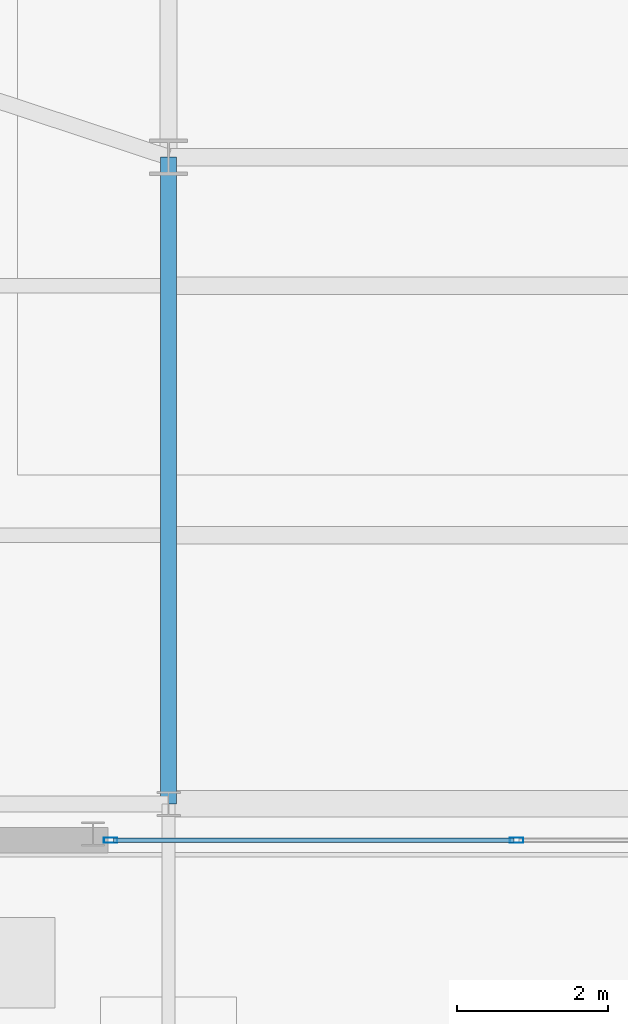
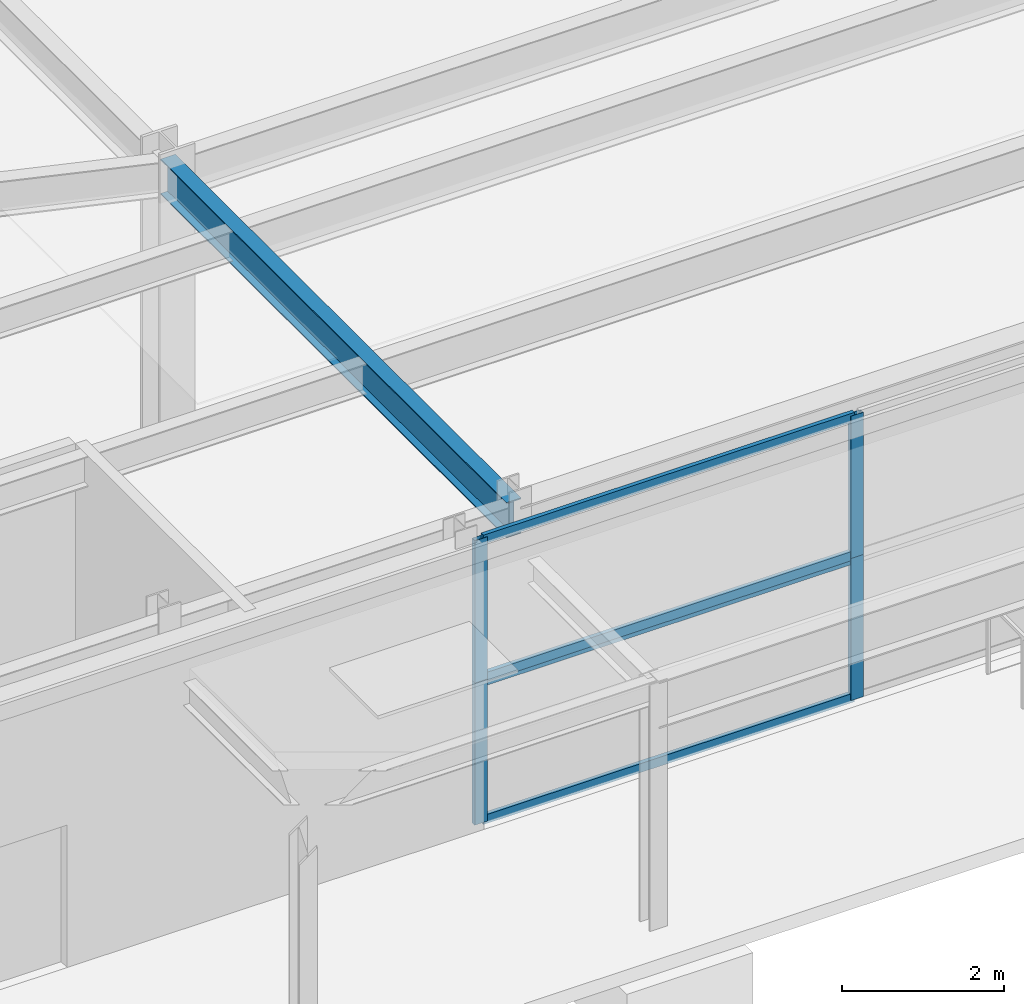
# One storey, part 11 of 29: 8 members, 1 beam, 2 elements without a shape of their own.
"""IFC4 building model written with IfcOpenShell, lengths in metres."""

from ifc_helpers import new_model, si_unit, direction, frame, origin, origin_2d, place, context, subcontext, project, spatial, hollow_rectangle, i_section, extrude, source, transform, mapped, material, layer, layer_set, material_profile, profile_set, type_object, element, aggregate, save


model = new_model("IFC4")

# Units and contexts
model_context = context("Model", 3, precision=1e-05, world=origin(), true_north=direction((0.0, 1.0)))
body_context = subcontext(model_context, "Body", "Model", "MODEL_VIEW")
ifc_project = project(units=[si_unit("LENGTHUNIT", "METRE"), si_unit("AREAUNIT", "SQUARE_METRE"), si_unit("VOLUMEUNIT", "CUBIC_METRE"), si_unit("PLANEANGLEUNIT", "RADIAN"), si_unit("MASSUNIT", "GRAM", prefix="KILO")], contexts=[model_context])

# Site, building, storey
site_placement = place(None, origin())
site = spatial("IfcSite", under=ifc_project, at=site_placement, CompositionType="ELEMENT")
building_placement = place(site_placement, origin())
building = spatial("IfcBuilding", under=site, at=building_placement, Name="Taldren Reach Tower", CompositionType="ELEMENT")
storey_placement = place(building_placement, origin())
storey = spatial("IfcBuildingStorey", under=building, at=storey_placement, Name="L00", CompositionType="ELEMENT", Elevation=0.0)

# Beam
ifc_material_1 = material(Name="Steel Gr 350 (350PLUS)", Category="steel")
ifc_material_profile_1 = material_profile(ifc_material_1, i_section(OverallWidth=0.208984375, OverallDepth=0.532958984375, WebThickness=0.01025390625, FlangeThickness=0.015625, at=origin_2d()), Name="530UB92.4")
ifc_profile_set_1 = profile_set([ifc_material_profile_1], Name="Steel Gr 350 (350PLUS)")
beam_type = type_object("IfcBeamType", Name="BM-UB530A", PredefinedType="BEAM", material=ifc_profile_set_1)
shared_shape_1 = source(origin(), body_context, "Body", "SweptSolid", [
    extrude(i_section(OverallWidth=0.208984375, OverallDepth=0.532958984375, WebThickness=0.01025390625, FlangeThickness=0.015625, at=origin_2d()), origin(), (0.0, 0.0, 1.0), 8.550048828125),
])
beam_placement = place(storey_placement, frame((28.0, 0.64990234375, 4.0234375), z_axis=(0.0, 1.0, 0.0), x_axis=(-1.0, 0.0, 0.0)))
element("IfcBeam", 1, at=beam_placement, inside=storey, type_object=beam_type, Name="Podium beam L00-PD23", PredefinedType="BEAM", context=body_context, shape_type="MappedRepresentation", body=[
    mapped(shared_shape_1, transform((0.0, 0.0, 0.0), scale=1.0)),
])

# Curtain wall, members
ifc_material_2 = material(Name="Aluminium and Low-E Glass Unitised System", Category="aluminium")
ifc_layer = layer(ifc_material_2, 0.159912109375)
ifc_layer_set = layer_set([ifc_layer], Name="Aluminium and Low-E Glass Unitised System")
curtain_wall_type = type_object("IfcCurtainWallType", Name="CW-SYS-1", PredefinedType="NOTDEFINED", material=ifc_layer_set)
curtain_wall_1_placement = place(storey_placement, origin())
curtain_wall_1 = element("IfcCurtainWall", 2, at=curtain_wall_1_placement, inside=storey, type_object=curtain_wall_type, Name="Unitised curtain wall CW1-L00-S2", PredefinedType="NOTDEFINED")
ifc_material_3 = material(Name="Anodised Aluminium 6063-T6", Category="aluminium")
ifc_material_profile_2 = material_profile(ifc_material_3, hollow_rectangle(XDim=0.070068359375, YDim=0.179931640625, WallThickness=0.00390625, at=origin_2d()), Name="ALU-180x70x4RHS")
ifc_profile_set_2 = profile_set([ifc_material_profile_2], Name="Anodised Aluminium 6063-T6")
member_type_1 = type_object("IfcMemberType", Name="CW-MUL-180", PredefinedType="MULLION", material=ifc_profile_set_2)
shared_shape_2 = source(origin(), body_context, "Body", "SweptSolid", [
    extrude(hollow_rectangle(XDim=0.070068359375, YDim=0.179931640625, WallThickness=0.00390625, at=origin_2d()), origin(), (0.0, 0.0, 1.0), 2.14501953125),
])
member_1_placement = place(storey_placement, frame((27.235107421875, 0.169921875, 0.0), z_axis=(0.0, 0.0, 1.0), x_axis=(0.0, 1.0, 0.0)))
member_1 = element("IfcMember", 3, at=member_1_placement, type_object=member_type_1, Name="CW-1 mullion 1", PredefinedType="MULLION", context=body_context, shape_type="MappedRepresentation", body=[
    mapped(shared_shape_2, transform((0.0, 0.0, 0.0), scale=1.0)),
])
member_2_placement = place(storey_placement, frame((32.60009765625, 0.169921875, 0.0), z_axis=(0.0, 0.0, 1.0), x_axis=(0.0, 1.0, 0.0)))
member_2 = element("IfcMember", 4, at=member_2_placement, type_object=member_type_1, Name="CW-1 mullion 2", PredefinedType="MULLION", context=body_context, shape_type="MappedRepresentation", body=[
    mapped(shared_shape_2, transform((0.0, 0.0, 0.0), scale=1.0)),
])

curtain_wall_2_placement = place(storey_placement, origin())
curtain_wall_2 = element("IfcCurtainWall", 5, at=curtain_wall_2_placement, inside=storey, type_object=curtain_wall_type, Name="Unitised curtain wall CW1-L00-S2-T2", PredefinedType="NOTDEFINED")
member_3_placement = place(storey_placement, frame((27.235107421875, 0.169921875, 2.14501953125), z_axis=(0.0, 0.0, 1.0), x_axis=(0.0, 1.0, 0.0)))
member_3 = element("IfcMember", 6, at=member_3_placement, type_object=member_type_1, Name="CW-1 mullion 1", PredefinedType="MULLION", context=body_context, shape_type="MappedRepresentation", body=[
    mapped(shared_shape_2, transform((0.0, 0.0, 0.0), scale=1.0)),
])
member_4_placement = place(storey_placement, frame((32.60009765625, 0.169921875, 2.14501953125), z_axis=(0.0, 0.0, 1.0), x_axis=(0.0, 1.0, 0.0)))
member_4 = element("IfcMember", 7, at=member_4_placement, type_object=member_type_1, Name="CW-1 mullion 2", PredefinedType="MULLION", context=body_context, shape_type="MappedRepresentation", body=[
    mapped(shared_shape_2, transform((0.0, 0.0, 0.0), scale=1.0)),
])

# Member
ifc_material_profile_3 = material_profile(ifc_material_3, hollow_rectangle(XDim=0.06005859375, YDim=0.135009765625, WallThickness=0.00341796875, at=origin_2d()), Name="ALU-135x60x3.5RHS")
ifc_profile_set_3 = profile_set([ifc_material_profile_3], Name="Anodised Aluminium 6063-T6")
member_type_2 = type_object("IfcMemberType", Name="CW-TRN-150", PredefinedType="USERDEFINED", material=ifc_profile_set_3)
shared_shape_3 = source(origin(), body_context, "Body", "SweptSolid", [
    extrude(hollow_rectangle(XDim=0.06005859375, YDim=0.135009765625, WallThickness=0.00341796875, at=origin_2d()), origin(), (0.0, 0.0, 1.0), 5.294921875),
])
member_5_placement = place(storey_placement, frame((27.27001953125, 0.169921875, 0.030029296875), z_axis=(1.0, 0.0, 0.0), x_axis=(0.0, 1.0, 0.0)))
member_5 = element("IfcMember", 8, at=member_5_placement, type_object=member_type_2, Name="CW-1 transom 1.1", ObjectType="TRANSOM", PredefinedType="USERDEFINED", context=body_context, shape_type="MappedRepresentation", body=[
    mapped(shared_shape_3, transform((0.0, 0.0, 0.0), scale=1.0)),
])

member_6_placement = place(storey_placement, frame((27.27001953125, 0.169921875, 2.114990234375), z_axis=(1.0, 0.0, 0.0), x_axis=(0.0, 1.0, 0.0)))
member_6 = element("IfcMember", 9, at=member_6_placement, type_object=member_type_2, Name="CW-1 transom 1.2", ObjectType="TRANSOM", PredefinedType="USERDEFINED", context=body_context, shape_type="MappedRepresentation", body=[
    mapped(shared_shape_3, transform((0.0, 0.0, 0.0), scale=1.0)),
])

aggregate(curtain_wall_1, [member_1, member_2, member_5, member_6])

member_7_placement = place(storey_placement, frame((27.27001953125, 0.169921875, 2.175048828125), z_axis=(1.0, 0.0, 0.0), x_axis=(0.0, 1.0, 0.0)))
member_7 = element("IfcMember", 10, at=member_7_placement, type_object=member_type_2, Name="CW-1 transom 1.1", ObjectType="TRANSOM", PredefinedType="USERDEFINED", context=body_context, shape_type="MappedRepresentation", body=[
    mapped(shared_shape_3, transform((0.0, 0.0, 0.0), scale=1.0)),
])

member_8_placement = place(storey_placement, frame((27.27001953125, 0.169921875, 4.260009765625), z_axis=(1.0, 0.0, 0.0), x_axis=(0.0, 1.0, 0.0)))
member_8 = element("IfcMember", 11, at=member_8_placement, type_object=member_type_2, Name="CW-1 transom 1.2", ObjectType="TRANSOM", PredefinedType="USERDEFINED", context=body_context, shape_type="MappedRepresentation", body=[
    mapped(shared_shape_3, transform((0.0, 0.0, 0.0), scale=1.0)),
])

aggregate(curtain_wall_2, [member_3, member_4, member_7, member_8])

save(model, "model.ifc")
